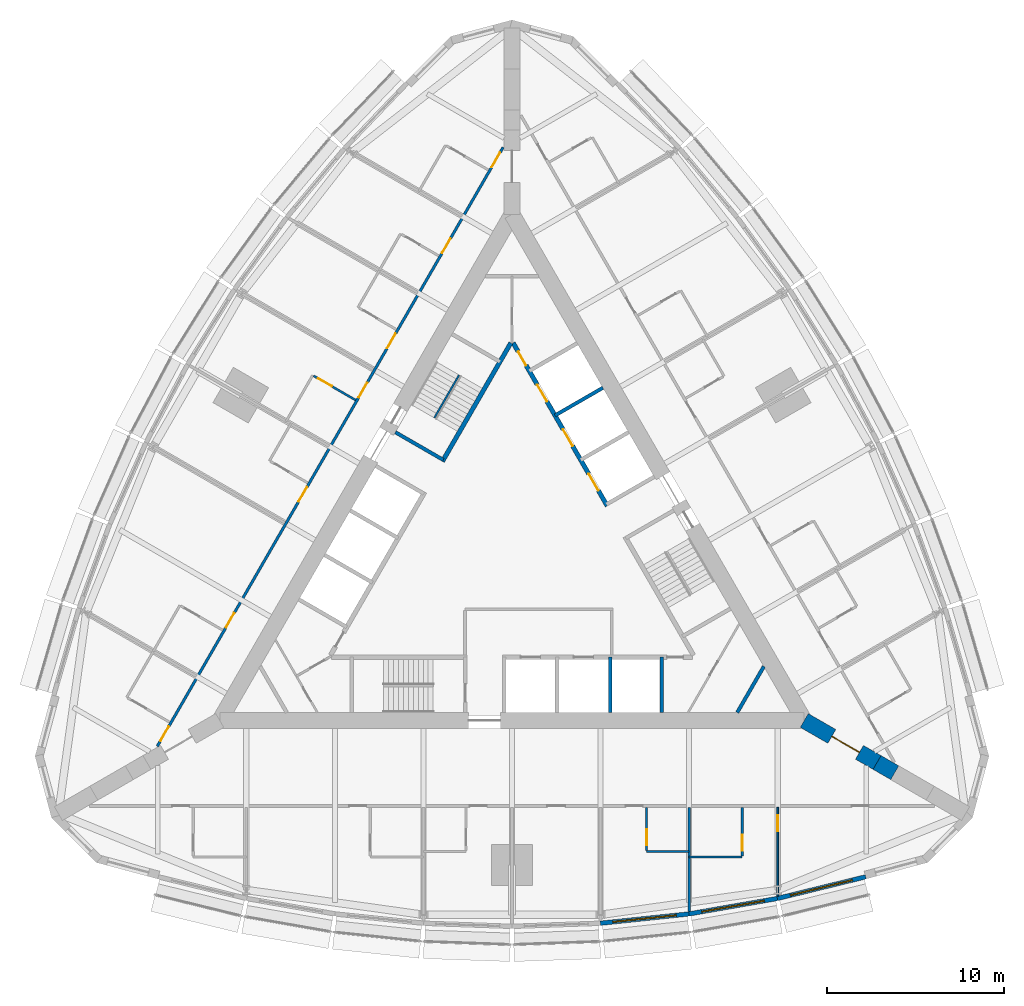
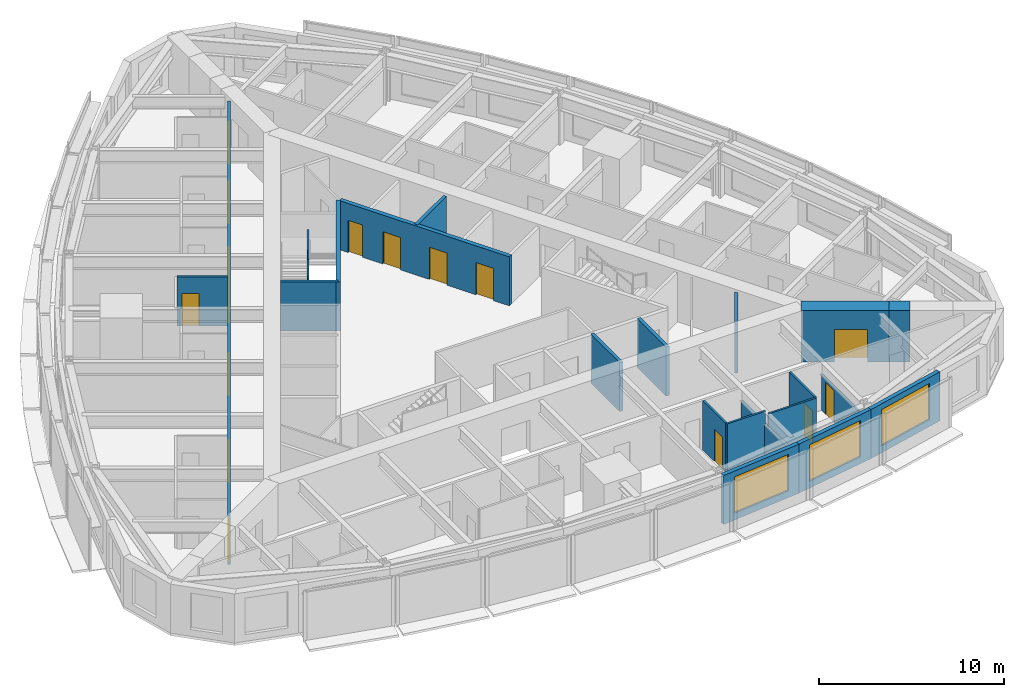
# One storey, part 10 of 14: 21 walls, 16 doors, 3 windows, 19 openings.
"""IFC4 building model written with IfcOpenShell, lengths in metres."""

from ifc_helpers import new_model, si_unit, direction, frame, frame_2d, origin, place, context, subcontext, project, spatial, rectangle, extrude, material, layer, layer_set, type_object, element, fill, save


model = new_model("IFC4")

# Units and contexts
model_context = context("Model", 3, precision=1e-05, world=origin(), true_north=direction((0.0, 1.0)))
body_context = subcontext(model_context, "Body", "Model", "MODEL_VIEW")
ifc_project = project(units=[si_unit("LENGTHUNIT", "METRE"), si_unit("AREAUNIT", "SQUARE_METRE"), si_unit("VOLUMEUNIT", "CUBIC_METRE"), si_unit("PLANEANGLEUNIT", "RADIAN"), si_unit("MASSUNIT", "GRAM", prefix="KILO")], contexts=[model_context])

# Site, building, storey
site_placement = place(None, origin())
site = spatial("IfcSite", under=ifc_project, at=site_placement, CompositionType="ELEMENT")
building_placement = place(site_placement, origin())
building = spatial("IfcBuilding", under=site, at=building_placement, Name="Trikona Tower", CompositionType="ELEMENT")
storey_placement = place(building_placement, frame((0.0, 0.0, 131.699951171875)))
storey = spatial("IfcBuildingStorey", under=building, at=storey_placement, Name="L34", CompositionType="ELEMENT", Elevation=131.699951171875)

# Wall
ifc_material_1 = material(Name="Metal stud and cement board", Category="gypsum")
ifc_layer_1 = layer(ifc_material_1, 0.1201171875)
ifc_layer_set_1 = layer_set([ifc_layer_1], Name="Bathroom wall 120")
wall_type_1 = type_object("IfcWallType", Name="Bathroom wall 120", PredefinedType="PLUMBINGWALL", material=ifc_layer_set_1)
wall_1_placement = place(storey_placement, frame((7.60009765625, -16.92626953125, 0.0), z_axis=(0.0, 0.0, 1.0), x_axis=(1.0, 0.0, 0.0)))
element("IfcWall", 1, at=wall_1_placement, inside=storey, type_object=wall_type_1, Name="Bathroom wall 3404", PredefinedType="PLUMBINGWALL", context=body_context, shape_type="SweptSolid", body=[
    extrude(rectangle(XDim=2.39990234375, YDim=0.1201171875, at=frame_2d((1.199951171875, 0.0))), origin(), (0.0, 0.0, 1.0), 3.235107421875),
])

# Wall, opening, door
wall_2_placement = place(storey_placement, frame((7.60009765625, -14.42626953125, 0.0), z_axis=(0.0, 0.0, 1.0), x_axis=(0.0, -1.0, 0.0)))
wall_2 = element("IfcWall", 2, at=wall_2_placement, inside=storey, type_object=wall_type_1, Name="Bathroom wall 3404", PredefinedType="PLUMBINGWALL", context=body_context, shape_type="SweptSolid", body=[
    extrude(rectangle(XDim=2.43994140625, YDim=0.1201171875, at=frame_2d((1.219970703125, 0.0))), origin(), (0.0, 0.0, 1.0), 3.235107421875),
])
opening_1_placement = place(wall_2_placement, frame((1.25, 0.0, 0.0)))
opening_1 = element("IfcOpeningElement", 3, at=opening_1_placement, cuts=wall_2, Name="Opening D2", PredefinedType="OPENING", context=body_context, shape_type="SweptSolid", body=[
    extrude(rectangle(XDim=0.89990234375, YDim=2.1298828125, at=frame_2d((0.449951171875, 1.06494140625))), frame((0.0, 0.070068359375, 0.0), z_axis=(0.0, -1.0, 0.0), x_axis=(1.0, 0.0, 0.0)), (0.0, 0.0, 1.0), 0.14013671875),
])
ifc_material_2 = material(Name="Steel door frame with solid-core timber leaf", Category="steel")
door_type_1 = type_object("IfcDoorType", Name="Bathroom door 900x2130", OperationType="SLIDING_TO_LEFT", PredefinedType="DOOR", material=ifc_material_2)
door_1_placement = place(opening_1_placement, origin())
door_1 = element("IfcDoor", 4, at=door_1_placement, inside=storey, type_object=door_type_1, Name="Bathroom door 3404", OperationType="SLIDING_TO_LEFT", OverallHeight=2.1298828125, OverallWidth=0.89990234375, PredefinedType="DOOR", context=body_context, shape_type="SweptSolid", body=[
    extrude(rectangle(XDim=0.89990234375, YDim=2.1298828125, at=frame_2d((0.449951171875, 1.06494140625))), frame((0.0, 0.02490234375, 0.0), z_axis=(0.0, -1.0, 0.0), x_axis=(1.0, 0.0, 0.0)), (0.0, 0.0, 1.0), 0.050048828125),
])
fill(opening_1, door_1)

# Wall
wall_3_placement = place(storey_placement, frame((10.0, -17.226318359375, 0.0), z_axis=(0.0, 0.0, 1.0), x_axis=(1.0, 0.0, 0.0)))
element("IfcWall", 5, at=wall_3_placement, inside=storey, type_object=wall_type_1, Name="Bathroom wall 3405.1", PredefinedType="PLUMBINGWALL", context=body_context, shape_type="SweptSolid", body=[
    extrude(rectangle(XDim=3.0, YDim=0.1201171875, at=frame_2d((1.5, 0.0))), origin(), (0.0, 0.0, 1.0), 3.235107421875),
])

# Wall, opening, door
wall_4_placement = place(storey_placement, frame((13.0, -14.42626953125, 0.0), z_axis=(0.0, 0.0, 1.0), x_axis=(0.0, -1.0, 0.0)))
wall_4 = element("IfcWall", 6, at=wall_4_placement, inside=storey, type_object=wall_type_1, Name="Bathroom wall 3405.1", PredefinedType="PLUMBINGWALL", context=body_context, shape_type="SweptSolid", body=[
    extrude(rectangle(XDim=2.739990234375, YDim=0.1201171875, at=frame_2d((1.3701171875, 0.0))), origin(), (0.0, 0.0, 1.0), 3.235107421875),
])
opening_2_placement = place(wall_4_placement, frame((1.550048828125, 0.0, 0.0)))
opening_2 = element("IfcOpeningElement", 7, at=opening_2_placement, cuts=wall_4, Name="Opening D2", PredefinedType="OPENING", context=body_context, shape_type="SweptSolid", body=[
    extrude(rectangle(XDim=0.89990234375, YDim=2.1298828125, at=frame_2d((0.449951171875, 1.06494140625))), frame((0.0, 0.070068359375, 0.0), z_axis=(0.0, -1.0, 0.0), x_axis=(1.0, 0.0, 0.0)), (0.0, 0.0, 1.0), 0.14013671875),
])
door_2_placement = place(opening_2_placement, origin())
door_2 = element("IfcDoor", 8, at=door_2_placement, inside=storey, type_object=door_type_1, Name="Bathroom door 3405.1", OperationType="SLIDING_TO_LEFT", OverallHeight=2.1298828125, OverallWidth=0.89990234375, PredefinedType="DOOR", context=body_context, shape_type="SweptSolid", body=[
    extrude(rectangle(XDim=0.89990234375, YDim=2.1298828125, at=frame_2d((0.449951171875, 1.06494140625))), frame((0.0, 0.02490234375, 0.0), z_axis=(0.0, -1.0, 0.0), x_axis=(1.0, 0.0, 0.0)), (0.0, 0.0, 1.0), 0.050048828125),
])
fill(opening_2, door_2)

wall_5_placement = place(storey_placement, frame((-8.82861328125, 8.561279296875, 0.0), z_axis=(0.0, 0.0, 1.0), x_axis=(-0.866035715982, 0.499982138324, 0.0)))
wall_5 = element("IfcWall", 9, at=wall_5_placement, inside=storey, type_object=wall_type_1, Name="Bathroom wall 3415", PredefinedType="PLUMBINGWALL", context=body_context, shape_type="SweptSolid", body=[
    extrude(rectangle(XDim=2.73974609375, YDim=0.1201171875, at=frame_2d((1.369873046875, 0.0))), origin(), (0.0, 0.0, 1.0), 3.235107421875),
])
opening_3_placement = place(wall_5_placement, frame((1.550048828125, 0.0, 0.0)))
opening_3 = element("IfcOpeningElement", 10, at=opening_3_placement, cuts=wall_5, Name="Opening D2", PredefinedType="OPENING", context=body_context, shape_type="SweptSolid", body=[
    extrude(rectangle(XDim=0.89990234375, YDim=2.1298828125, at=frame_2d((0.449951171875, 1.06494140625))), frame((0.0, 0.070068359375, 0.0), z_axis=(0.0, -1.0, 0.0), x_axis=(1.0, 0.0, 0.0)), (0.0, 0.0, 1.0), 0.14013671875),
])
door_3_placement = place(opening_3_placement, origin())
door_3 = element("IfcDoor", 11, at=door_3_placement, inside=storey, type_object=door_type_1, Name="Bathroom door 3415", OperationType="SLIDING_TO_LEFT", OverallHeight=2.1298828125, OverallWidth=0.89990234375, PredefinedType="DOOR", context=body_context, shape_type="SweptSolid", body=[
    extrude(rectangle(XDim=0.89990234375, YDim=2.1298828125, at=frame_2d((0.449951171875, 1.06494140625))), frame((0.0, 0.02490234375, 0.0), z_axis=(0.0, -1.0, 0.0), x_axis=(1.0, 0.0, 0.0)), (0.0, 0.0, 1.0), 0.050048828125),
])
fill(opening_3, door_3)

ifc_material_3 = material(Name="Concrete f'c 10000 psi", Category="concrete")
ifc_layer_2 = layer(ifc_material_3, 0.89990234375)
ifc_layer_set_2 = layer_set([ifc_layer_2], Name="Buttress wall 900")
wall_type_2 = type_object("IfcWallType", Name="Buttress wall 900", PredefinedType="SHEAR", material=ifc_layer_set_2)
wall_6_placement = place(storey_placement, frame((16.5, -9.5263671875, 0.0), z_axis=(0.0, 0.0, 1.0), x_axis=(0.866031398331, -0.499989616998, 0.0)))
wall_6 = element("IfcWall", 12, at=wall_6_placement, inside=storey, type_object=wall_type_2, Name="Buttress wall 1", PredefinedType="SHEAR", context=body_context, shape_type="SweptSolid", body=[
    extrude(rectangle(XDim=4.74609375, YDim=0.89990234375, at=frame_2d((2.373046875, 0.0))), origin(), (0.0, 0.0, 1.0), 3.400146484375),
])
opening_4_placement = place(wall_6_placement, frame((1.800048828125, 0.0, 0.0)))
opening_4 = element("IfcOpeningElement", 13, at=opening_4_placement, cuts=wall_6, Name="Opening D10", PredefinedType="OPENING", context=body_context, shape_type="SweptSolid", body=[
    extrude(rectangle(XDim=1.800048828125, YDim=2.1298828125, at=frame_2d((0.89990234375, 1.06494140625))), frame((0.0, 0.4599609375, 0.0), z_axis=(0.0, -1.0, 0.0), x_axis=(1.0, 0.0, 0.0)), (0.0, 0.0, 1.0), 0.919921875),
])
ifc_material_4 = material(Name="Hollow metal door and frame", Category="steel")
door_type_2 = type_object("IfcDoorType", Name="Cross-corridor door pair 1800x2130", OperationType="DOUBLE_DOOR_DOUBLE_SWING", PredefinedType="DOOR", material=ifc_material_4)
door_4_placement = place(opening_4_placement, origin())
door_4 = element("IfcDoor", 14, at=door_4_placement, inside=storey, type_object=door_type_2, Name="Cross-corridor door 1", OperationType="DOUBLE_DOOR_DOUBLE_SWING", OverallHeight=2.1298828125, OverallWidth=1.800048828125, PredefinedType="DOOR", context=body_context, shape_type="SweptSolid", body=[
    extrude(rectangle(XDim=1.800048828125, YDim=2.1298828125, at=frame_2d((0.89990234375, 1.06494140625))), frame((0.0, 0.02490234375, 0.0), z_axis=(0.0, -1.0, 0.0), x_axis=(1.0, 0.0, 0.0)), (0.0, 0.0, 1.0), 0.050048828125),
])
fill(opening_4, door_4)

# Wall
wall_7_placement = place(storey_placement, frame((20.6103515625, -11.8994140625, 0.0), z_axis=(0.0, 0.0, 1.0), x_axis=(0.866009537788, -0.500027479704, 0.0)))
element("IfcWall", 15, at=wall_7_placement, inside=storey, type_object=wall_type_2, Name="Buttress wall 1 part 2", PredefinedType="SHEAR", context=body_context, shape_type="SweptSolid", body=[
    extrude(rectangle(XDim=1.15478515625, YDim=0.89990234375, at=frame_2d((0.577392578125, 0.0))), origin(), (0.0, 0.0, 1.0), 3.400146484375),
])

# Wall, openings, doors
ifc_material_5 = material(Name="Metal stud and gypsum board, 1-hour", Category="gypsum")
ifc_layer_3 = layer(ifc_material_5, 0.14990234375)
ifc_layer_set_3 = layer_set([ifc_layer_3], Name="Corridor wall 150")
wall_type_3 = type_object("IfcWallType", Name="Corridor wall 150", PredefinedType="PARTITIONING", material=ifc_layer_set_3)
wall_8_placement = place(storey_placement, frame((-0.5, 22.83642578125, 0.0), z_axis=(0.0, 0.0, 1.0), x_axis=(-0.500001677587, -0.866024435227, 0.0)))
wall_8 = element("IfcWall", 16, at=wall_8_placement, inside=storey, type_object=wall_type_3, Name="Corridor wall L34-3", PredefinedType="PARTITIONING", context=body_context, shape_type="SweptSolid", body=[
    extrude(rectangle(XDim=39.053955078125, YDim=0.14990234375, at=frame_2d((19.52685546875, 0.0))), origin(), (0.0, 0.0, 1.0), 3.235107421875),
])
opening_5_placement = place(wall_8_placement, frame((0.35205078125, 0.0, 0.0)))
opening_5 = element("IfcOpeningElement", 17, at=opening_5_placement, cuts=wall_8, Name="Opening D1", PredefinedType="OPENING", context=body_context, shape_type="SweptSolid", body=[
    extrude(rectangle(XDim=0.949951171875, YDim=2.1298828125, at=frame_2d((0.47509765625, 1.06494140625))), frame((0.0, 0.0849609375, 0.0), z_axis=(0.0, -1.0, 0.0), x_axis=(1.0, 0.0, 0.0)), (0.0, 0.0, 1.0), 0.169921875),
])
opening_6_placement = place(wall_8_placement, frame((5.951904296875, 0.0, 0.0)))
opening_6 = element("IfcOpeningElement", 18, at=opening_6_placement, cuts=wall_8, Name="Opening D1", PredefinedType="OPENING", context=body_context, shape_type="SweptSolid", body=[
    extrude(rectangle(XDim=0.949951171875, YDim=2.1298828125, at=frame_2d((0.47509765625, 1.06494140625))), frame((0.0, 0.0849609375, 0.0), z_axis=(0.0, -1.0, 0.0), x_axis=(1.0, 0.0, 0.0)), (0.0, 0.0, 1.0), 0.169921875),
])
opening_7_placement = place(wall_8_placement, frame((12.152099609375, 0.0, 0.0)))
opening_7 = element("IfcOpeningElement", 19, at=opening_7_placement, cuts=wall_8, Name="Opening D1", PredefinedType="OPENING", context=body_context, shape_type="SweptSolid", body=[
    extrude(rectangle(XDim=0.949951171875, YDim=2.1298828125, at=frame_2d((0.47509765625, 1.06494140625))), frame((0.0, 0.0849609375, 0.0), z_axis=(0.0, -1.0, 0.0), x_axis=(1.0, 0.0, 0.0)), (0.0, 0.0, 1.0), 0.169921875),
])
opening_8_placement = place(wall_8_placement, frame((15.35205078125, 0.0, 0.0)))
opening_8 = element("IfcOpeningElement", 20, at=opening_8_placement, cuts=wall_8, Name="Opening D1", PredefinedType="OPENING", context=body_context, shape_type="SweptSolid", body=[
    extrude(rectangle(XDim=0.949951171875, YDim=2.1298828125, at=frame_2d((0.47509765625, 1.06494140625))), frame((0.0, 0.0849609375, 0.0), z_axis=(0.0, -1.0, 0.0), x_axis=(1.0, 0.0, 0.0)), (0.0, 0.0, 1.0), 0.169921875),
])
opening_9_placement = place(wall_8_placement, frame((22.152099609375, 0.0, 0.0)))
opening_9 = element("IfcOpeningElement", 21, at=opening_9_placement, cuts=wall_8, Name="Opening D1", PredefinedType="OPENING", context=body_context, shape_type="SweptSolid", body=[
    extrude(rectangle(XDim=0.949951171875, YDim=2.1298828125, at=frame_2d((0.47509765625, 1.06494140625))), frame((0.0, 0.0849609375, 0.0), z_axis=(0.0, -1.0, 0.0), x_axis=(1.0, 0.0, 0.0)), (0.0, 0.0, 1.0), 0.169921875),
])
opening_10_placement = place(wall_8_placement, frame((30.35205078125, 0.0, 0.0)))
opening_10 = element("IfcOpeningElement", 22, at=opening_10_placement, cuts=wall_8, Name="Opening D1", PredefinedType="OPENING", context=body_context, shape_type="SweptSolid", body=[
    extrude(rectangle(XDim=0.949951171875, YDim=2.1298828125, at=frame_2d((0.47509765625, 1.06494140625))), frame((0.0, 0.0849609375, 0.0), z_axis=(0.0, -1.0, 0.0), x_axis=(1.0, 0.0, 0.0)), (0.0, 0.0, 1.0), 0.169921875),
])
opening_11_placement = place(wall_8_placement, frame((37.751953125, 0.0, 0.0)))
opening_11 = element("IfcOpeningElement", 23, at=opening_11_placement, cuts=wall_8, Name="Opening D1", PredefinedType="OPENING", context=body_context, shape_type="SweptSolid", body=[
    extrude(rectangle(XDim=0.949951171875, YDim=2.1298828125, at=frame_2d((0.47509765625, 1.06494140625))), frame((0.0, 0.0849609375, 0.0), z_axis=(0.0, -1.0, 0.0), x_axis=(1.0, 0.0, 0.0)), (0.0, 0.0, 1.0), 0.169921875),
])
ifc_material_6 = material(Name="Steel door frame with solid-core timber leaf", Category="steel")
door_type_3 = type_object("IfcDoorType", Name="Guest room door 950x2130", OperationType="SINGLE_SWING_LEFT", PredefinedType="DOOR", material=ifc_material_6)
door_5_placement = place(opening_5_placement, origin())
door_5 = element("IfcDoor", 24, at=door_5_placement, inside=storey, type_object=door_type_3, Name="Room door 3412", OperationType="SINGLE_SWING_LEFT", OverallHeight=2.1298828125, OverallWidth=0.949951171875, PredefinedType="DOOR", context=body_context, shape_type="SweptSolid", body=[
    extrude(rectangle(XDim=0.949951171875, YDim=2.1298828125, at=frame_2d((0.47509765625, 1.06494140625))), frame((0.0, 0.02490234375, 0.0), z_axis=(0.0, -1.0, 0.0), x_axis=(1.0, 0.0, 0.0)), (0.0, 0.0, 1.0), 0.050048828125),
])
fill(opening_5, door_5)
door_6_placement = place(opening_6_placement, origin())
door_6 = element("IfcDoor", 25, at=door_6_placement, inside=storey, type_object=door_type_3, Name="Room door 3413", OperationType="SINGLE_SWING_RIGHT", OverallHeight=2.1298828125, OverallWidth=0.949951171875, PredefinedType="DOOR", context=body_context, shape_type="SweptSolid", body=[
    extrude(rectangle(XDim=0.949951171875, YDim=2.1298828125, at=frame_2d((0.47509765625, 1.06494140625))), frame((0.0, 0.02490234375, 0.0), z_axis=(0.0, -1.0, 0.0), x_axis=(1.0, 0.0, 0.0)), (0.0, 0.0, 1.0), 0.050048828125),
])
fill(opening_6, door_6)
door_7_placement = place(opening_7_placement, origin())
door_7 = element("IfcDoor", 26, at=door_7_placement, inside=storey, type_object=door_type_3, Name="Room door 3414", OperationType="SINGLE_SWING_LEFT", OverallHeight=2.1298828125, OverallWidth=0.949951171875, PredefinedType="DOOR", context=body_context, shape_type="SweptSolid", body=[
    extrude(rectangle(XDim=0.949951171875, YDim=2.1298828125, at=frame_2d((0.47509765625, 1.06494140625))), frame((0.0, 0.02490234375, 0.0), z_axis=(0.0, -1.0, 0.0), x_axis=(1.0, 0.0, 0.0)), (0.0, 0.0, 1.0), 0.050048828125),
])
fill(opening_7, door_7)
door_8_placement = place(opening_8_placement, origin())
door_8 = element("IfcDoor", 27, at=door_8_placement, inside=storey, type_object=door_type_3, Name="Room door 3415", OperationType="SINGLE_SWING_RIGHT", OverallHeight=2.1298828125, OverallWidth=0.949951171875, PredefinedType="DOOR", context=body_context, shape_type="SweptSolid", body=[
    extrude(rectangle(XDim=0.949951171875, YDim=2.1298828125, at=frame_2d((0.47509765625, 1.06494140625))), frame((0.0, 0.02490234375, 0.0), z_axis=(0.0, -1.0, 0.0), x_axis=(1.0, 0.0, 0.0)), (0.0, 0.0, 1.0), 0.050048828125),
])
fill(opening_8, door_8)
door_9_placement = place(opening_9_placement, origin())
door_9 = element("IfcDoor", 28, at=door_9_placement, inside=storey, type_object=door_type_3, Name="Room door 3416", OperationType="SINGLE_SWING_LEFT", OverallHeight=2.1298828125, OverallWidth=0.949951171875, PredefinedType="DOOR", context=body_context, shape_type="SweptSolid", body=[
    extrude(rectangle(XDim=0.949951171875, YDim=2.1298828125, at=frame_2d((0.47509765625, 1.06494140625))), frame((0.0, 0.02490234375, 0.0), z_axis=(0.0, -1.0, 0.0), x_axis=(1.0, 0.0, 0.0)), (0.0, 0.0, 1.0), 0.050048828125),
])
fill(opening_9, door_9)
door_10_placement = place(opening_10_placement, origin())
door_10 = element("IfcDoor", 29, at=door_10_placement, inside=storey, type_object=door_type_3, Name="Room door 3417", OperationType="SINGLE_SWING_RIGHT", OverallHeight=2.1298828125, OverallWidth=0.949951171875, PredefinedType="DOOR", context=body_context, shape_type="SweptSolid", body=[
    extrude(rectangle(XDim=0.949951171875, YDim=2.1298828125, at=frame_2d((0.47509765625, 1.06494140625))), frame((0.0, 0.02490234375, 0.0), z_axis=(0.0, -1.0, 0.0), x_axis=(1.0, 0.0, 0.0)), (0.0, 0.0, 1.0), 0.050048828125),
])
fill(opening_10, door_10)
door_11_placement = place(opening_11_placement, origin())
door_11 = element("IfcDoor", 30, at=door_11_placement, inside=storey, type_object=door_type_3, Name="Room door 3418", OperationType="SINGLE_SWING_RIGHT", OverallHeight=2.1298828125, OverallWidth=0.949951171875, PredefinedType="DOOR", context=body_context, shape_type="SweptSolid", body=[
    extrude(rectangle(XDim=0.949951171875, YDim=2.1298828125, at=frame_2d((0.47509765625, 1.06494140625))), frame((0.0, 0.02490234375, 0.0), z_axis=(0.0, -1.0, 0.0), x_axis=(1.0, 0.0, 0.0)), (0.0, 0.0, 1.0), 0.050048828125),
])
fill(opening_11, door_11)

ifc_material_7 = material(Name="Concrete f'c 8000 psi", Category="concrete")
ifc_layer_4 = layer(ifc_material_7, 0.25)
ifc_layer_set_4 = layer_set([ifc_layer_4], Name="Hub wall 250")
wall_type_4 = type_object("IfcWallType", Name="Hub wall 250", PredefinedType="SOLIDWALL", material=ifc_layer_set_4)
wall_9_placement = place(storey_placement, frame((5.37890625, 2.5859375, 0.0), z_axis=(0.0, 0.0, 1.0), x_axis=(-0.500001375892, 0.866024609411, 0.0)))
wall_9 = element("IfcWall", 31, at=wall_9_placement, inside=storey, type_object=wall_type_4, Name="Lift lobby wall B2", PredefinedType="SOLIDWALL", context=body_context, shape_type="SweptSolid", body=[
    extrude(rectangle(XDim=10.6328125, YDim=0.25, at=frame_2d((5.31640625, 0.0))), origin(), (0.0, 0.0, 1.0), 3.235107421875),
])
opening_12_placement = place(wall_9_placement, frame((9.1640625, 0.0, 0.0)))
opening_12 = element("IfcOpeningElement", 32, at=opening_12_placement, cuts=wall_9, Name="Opening D14", PredefinedType="OPENING", context=body_context, shape_type="SweptSolid", body=[
    extrude(rectangle(XDim=0.89990234375, YDim=2.1298828125, at=frame_2d((0.449951171875, 1.06494140625))), frame((0.0, 0.135009765625, 0.0), z_axis=(0.0, -1.0, 0.0), x_axis=(1.0, 0.0, 0.0)), (0.0, 0.0, 1.0), 0.27001953125),
])
opening_13_placement = place(wall_9_placement, frame((1.0, 0.0, 0.0)))
opening_13 = element("IfcOpeningElement", 33, at=opening_13_placement, cuts=wall_9, Name="Opening LD", PredefinedType="OPENING", context=body_context, shape_type="SweptSolid", body=[
    extrude(rectangle(XDim=1.10009765625, YDim=2.1298828125, at=frame_2d((0.550048828125, 1.06494140625))), frame((0.0, 0.135009765625, 0.0), z_axis=(0.0, -1.0, 0.0), x_axis=(1.0, 0.0, 0.0)), (0.0, 0.0, 1.0), 0.27001953125),
])
opening_14_placement = place(wall_9_placement, frame((3.89990234375, 0.0, 0.0)))
opening_14 = element("IfcOpeningElement", 34, at=opening_14_placement, cuts=wall_9, Name="Opening LD", PredefinedType="OPENING", context=body_context, shape_type="SweptSolid", body=[
    extrude(rectangle(XDim=1.10009765625, YDim=2.1298828125, at=frame_2d((0.550048828125, 1.06494140625))), frame((0.0, 0.135009765625, 0.0), z_axis=(0.0, -1.0, 0.0), x_axis=(1.0, 0.0, 0.0)), (0.0, 0.0, 1.0), 0.27001953125),
])
opening_15_placement = place(wall_9_placement, frame((6.800048828125, 0.0, 0.0)))
opening_15 = element("IfcOpeningElement", 35, at=opening_15_placement, cuts=wall_9, Name="Opening LD", PredefinedType="OPENING", context=body_context, shape_type="SweptSolid", body=[
    extrude(rectangle(XDim=1.10009765625, YDim=2.1298828125, at=frame_2d((0.550048828125, 1.06494140625))), frame((0.0, 0.135009765625, 0.0), z_axis=(0.0, -1.0, 0.0), x_axis=(1.0, 0.0, 0.0)), (0.0, 0.0, 1.0), 0.27001953125),
])
ifc_material_8 = material(Name="Stainless steel lift landing door", Category="steel")
door_type_4 = type_object("IfcDoorType", Name="Lift landing door 1100x2130", OperationType="DOUBLE_DOOR_SLIDING", PredefinedType="USERDEFINED", material=ifc_material_8)
door_12_placement = place(opening_13_placement, origin())
door_12 = element("IfcDoor", 36, at=door_12_placement, inside=storey, type_object=door_type_4, Name="Lift landing door L2-1", ObjectType="LIFT LANDING DOOR", OperationType="DOUBLE_DOOR_SLIDING", OverallHeight=2.1298828125, OverallWidth=1.10009765625, PredefinedType="USERDEFINED", context=body_context, shape_type="SweptSolid", body=[
    extrude(rectangle(XDim=1.10009765625, YDim=2.1298828125, at=frame_2d((0.550048828125, 1.06494140625))), frame((0.0, 0.02490234375, 0.0), z_axis=(0.0, -1.0, 0.0), x_axis=(1.0, 0.0, 0.0)), (0.0, 0.0, 1.0), 0.050048828125),
])
fill(opening_13, door_12)
door_13_placement = place(opening_14_placement, origin())
door_13 = element("IfcDoor", 37, at=door_13_placement, inside=storey, type_object=door_type_4, Name="Lift landing door L2-2", ObjectType="LIFT LANDING DOOR", OperationType="DOUBLE_DOOR_SLIDING", OverallHeight=2.1298828125, OverallWidth=1.10009765625, PredefinedType="USERDEFINED", context=body_context, shape_type="SweptSolid", body=[
    extrude(rectangle(XDim=1.10009765625, YDim=2.1298828125, at=frame_2d((0.550048828125, 1.06494140625))), frame((0.0, 0.02490234375, 0.0), z_axis=(0.0, -1.0, 0.0), x_axis=(1.0, 0.0, 0.0)), (0.0, 0.0, 1.0), 0.050048828125),
])
fill(opening_14, door_13)
door_14_placement = place(opening_15_placement, origin())
door_14 = element("IfcDoor", 38, at=door_14_placement, inside=storey, type_object=door_type_4, Name="Lift landing door L2-3", ObjectType="LIFT LANDING DOOR", OperationType="DOUBLE_DOOR_SLIDING", OverallHeight=2.1298828125, OverallWidth=1.10009765625, PredefinedType="USERDEFINED", context=body_context, shape_type="SweptSolid", body=[
    extrude(rectangle(XDim=1.10009765625, YDim=2.1298828125, at=frame_2d((0.550048828125, 1.06494140625))), frame((0.0, 0.02490234375, 0.0), z_axis=(0.0, -1.0, 0.0), x_axis=(1.0, 0.0, 0.0)), (0.0, 0.0, 1.0), 0.050048828125),
])
fill(opening_15, door_14)
ifc_material_9 = material(Name="Hollow metal door and frame", Category="steel")
door_type_5 = type_object("IfcDoorType", Name="Service room door 900x2130", OperationType="SINGLE_SWING_LEFT", PredefinedType="DOOR", material=ifc_material_9)
door_15_placement = place(opening_12_placement, origin())
door_15 = element("IfcDoor", 39, at=door_15_placement, inside=storey, type_object=door_type_5, Name="Door Ice and vending ICE", OperationType="SINGLE_SWING_RIGHT", OverallHeight=2.1298828125, OverallWidth=0.89990234375, PredefinedType="DOOR", context=body_context, shape_type="SweptSolid", body=[
    extrude(rectangle(XDim=0.89990234375, YDim=2.1298828125, at=frame_2d((0.449951171875, 1.06494140625))), frame((0.0, 0.02490234375, 0.0), z_axis=(0.0, -1.0, 0.0), x_axis=(1.0, 0.0, 0.0)), (0.0, 0.0, 1.0), 0.050048828125),
])
fill(opening_12, door_15)

# Wall
wall_10_placement = place(storey_placement, frame((-0.0625, 11.794189453125, 0.0), z_axis=(0.0, 0.0, 1.0), x_axis=(-0.500006680225, -0.86602154692, 0.0)))
element("IfcWall", 40, at=wall_10_placement, inside=storey, type_object=wall_type_4, Name="Lift lobby wall C1", PredefinedType="SOLIDWALL", context=body_context, shape_type="SweptSolid", body=[
    extrude(rectangle(XDim=7.73291015625, YDim=0.25, at=frame_2d((3.866455078125, 0.0))), origin(), (0.0, 0.0, 1.0), 3.235107421875),
])

# Wall, opening, window
ifc_material_10 = material(Name="Insulated precast concrete spandrel panel", Category="concrete")
ifc_layer_5 = layer(ifc_material_10, 0.25)
ifc_layer_set_5 = layer_set([ifc_layer_5], Name="Inner skin wall 250")
wall_type_5 = type_object("IfcWallType", Name="Inner skin wall 250", PredefinedType="STANDARD", material=ifc_layer_set_5)
wall_11_placement = place(storey_placement, frame((4.98681640625, -20.975830078125, 0.0), z_axis=(0.0, 0.0, 1.0), x_axis=(0.994534683851, 0.104406717299, 0.0)))
wall_11 = element("IfcWall", 41, at=wall_11_placement, inside=storey, type_object=wall_type_5, Name="External wall L34-05", PredefinedType="STANDARD", context=body_context, shape_type="SweptSolid", body=[
    extrude(rectangle(XDim=5.027587890625, YDim=0.25, at=frame_2d((2.513671875, 0.0))), origin(), (0.0, 0.0, 1.0), 3.235107421875),
])
opening_16_placement = place(wall_11_placement, frame((0.713623046875, 0.0, 0.449951171875)))
opening_16 = element("IfcOpeningElement", 42, at=opening_16_placement, cuts=wall_11, Name="Opening W3624", PredefinedType="OPENING", context=body_context, shape_type="SweptSolid", body=[
    extrude(rectangle(XDim=3.60009765625, YDim=2.39990234375, at=frame_2d((1.800048828125, 1.199951171875))), frame((0.0, 0.135009765625, 0.0), z_axis=(0.0, -1.0, 0.0), x_axis=(1.0, 0.0, 0.0)), (0.0, 0.0, 1.0), 0.27001953125),
])
ifc_material_11 = material(Name="Aluminium-framed double glazing", Category="aluminium")
window_type = type_object("IfcWindowType", Name="Window 3600x2400", PartitioningType="SINGLE_PANEL", PredefinedType="WINDOW", material=ifc_material_11)
window_1_placement = place(opening_16_placement, origin())
window_1 = element("IfcWindow", 43, at=window_1_placement, inside=storey, type_object=window_type, Name="Window 3404", OverallHeight=2.39990234375, OverallWidth=3.60009765625, PartitioningType="SINGLE_PANEL", PredefinedType="WINDOW", context=body_context, shape_type="SweptSolid", body=[
    extrude(rectangle(XDim=3.60009765625, YDim=2.39990234375, at=frame_2d((1.800048828125, 1.199951171875))), frame((0.0, 0.030029296875, 0.0), z_axis=(0.0, -1.0, 0.0), x_axis=(1.0, 0.0, 0.0)), (0.0, 0.0, 1.0), 0.06005859375),
])
fill(opening_16, window_1)

wall_12_placement = place(storey_placement, frame((9.978515625, -20.4521484375, 0.0), z_axis=(0.0, 0.0, 1.0), x_axis=(0.985030467156, 0.172380331752, 0.0)))
wall_12 = element("IfcWall", 44, at=wall_12_placement, inside=storey, type_object=wall_type_5, Name="External wall L34-06", PredefinedType="STANDARD", context=body_context, shape_type="SweptSolid", body=[
    extrude(rectangle(XDim=5.075927734375, YDim=0.25, at=frame_2d((2.5380859375, 0.0))), origin(), (0.0, 0.0, 1.0), 3.235107421875),
])
opening_17_placement = place(wall_12_placement, frame((0.738037109375, 0.0, 0.449951171875)))
opening_17 = element("IfcOpeningElement", 45, at=opening_17_placement, cuts=wall_12, Name="Opening W3624", PredefinedType="OPENING", context=body_context, shape_type="SweptSolid", body=[
    extrude(rectangle(XDim=3.60009765625, YDim=2.39990234375, at=frame_2d((1.800048828125, 1.199951171875))), frame((0.0, 0.135009765625, 0.0), z_axis=(0.0, -1.0, 0.0), x_axis=(1.0, 0.0, 0.0)), (0.0, 0.0, 1.0), 0.27001953125),
])
window_2_placement = place(opening_17_placement, origin())
window_2 = element("IfcWindow", 46, at=window_2_placement, inside=storey, type_object=window_type, Name="Window 3405.1", OverallHeight=2.39990234375, OverallWidth=3.60009765625, PartitioningType="SINGLE_PANEL", PredefinedType="WINDOW", context=body_context, shape_type="SweptSolid", body=[
    extrude(rectangle(XDim=3.60009765625, YDim=2.39990234375, at=frame_2d((1.800048828125, 1.199951171875))), frame((0.0, 0.030029296875, 0.0), z_axis=(0.0, -1.0, 0.0), x_axis=(1.0, 0.0, 0.0)), (0.0, 0.0, 1.0), 0.06005859375),
])
fill(opening_17, window_2)

wall_13_placement = place(storey_placement, frame((14.97021484375, -19.578857421875, 0.0), z_axis=(0.0, 0.0, 1.0), x_axis=(0.971270024053, 0.237980126011, 0.0)))
wall_13 = element("IfcWall", 47, at=wall_13_placement, inside=storey, type_object=wall_type_5, Name="External wall L34-07", PredefinedType="STANDARD", context=body_context, shape_type="SweptSolid", body=[
    extrude(rectangle(XDim=5.14794921875, YDim=0.25, at=frame_2d((2.573974609375, 0.0))), origin(), (0.0, 0.0, 1.0), 3.235107421875),
])
opening_18_placement = place(wall_13_placement, frame((0.77392578125, 0.0, 0.449951171875)))
opening_18 = element("IfcOpeningElement", 48, at=opening_18_placement, cuts=wall_13, Name="Opening W3624", PredefinedType="OPENING", context=body_context, shape_type="SweptSolid", body=[
    extrude(rectangle(XDim=3.60009765625, YDim=2.39990234375, at=frame_2d((1.800048828125, 1.199951171875))), frame((0.0, 0.135009765625, 0.0), z_axis=(0.0, -1.0, 0.0), x_axis=(1.0, 0.0, 0.0)), (0.0, 0.0, 1.0), 0.27001953125),
])
window_3_placement = place(opening_18_placement, origin())
window_3 = element("IfcWindow", 49, at=window_3_placement, inside=storey, type_object=window_type, Name="Window 3405", OverallHeight=2.39990234375, OverallWidth=3.60009765625, PartitioningType="SINGLE_PANEL", PredefinedType="WINDOW", context=body_context, shape_type="SweptSolid", body=[
    extrude(rectangle(XDim=3.60009765625, YDim=2.39990234375, at=frame_2d((1.800048828125, 1.199951171875))), frame((0.0, 0.030029296875, 0.0), z_axis=(0.0, -1.0, 0.0), x_axis=(1.0, 0.0, 0.0)), (0.0, 0.0, 1.0), 0.06005859375),
])
fill(opening_18, window_3)

# Walls
ifc_material_12 = material(Name="Metal stud and gypsum board, 1-hour acoustic", Category="gypsum")
ifc_layer_6 = layer(ifc_material_12, 0.14990234375)
ifc_layer_set_6 = layer_set([ifc_layer_6], Name="Party wall 150")
wall_type_6 = type_object("IfcWallType", Name="Party wall 150", PredefinedType="PARTITIONING", material=ifc_layer_set_6)
wall_14_placement = place(storey_placement, frame((10.0, -14.42626953125, 0.0), z_axis=(0.0, 0.0, 1.0), x_axis=(0.0, -1.0, 0.0)))
element("IfcWall", 50, at=wall_14_placement, inside=storey, type_object=wall_type_6, Name="Partition L34 F1 u10", PredefinedType="PARTITIONING", context=body_context, shape_type="SweptSolid", body=[
    extrude(rectangle(XDim=5.89501953125, YDim=0.14990234375, at=frame_2d((2.947509765625, 0.0))), origin(), (0.0, 0.0, 1.0), 2.38916015625),
])
ifc_material_13 = material(Name="Concrete f'c 8000 psi", Category="concrete")
ifc_layer_7 = layer(ifc_material_13, 0.199951171875)
ifc_layer_set_7 = layer_set([ifc_layer_7], Name="Shaft wall 200")
wall_type_7 = type_object("IfcWallType", Name="Shaft wall 200", PredefinedType="SOLIDWALL", material=ifc_layer_set_7)
for number, where, z_axis, x_axis, name in (
    (51, (5.550048828125, -5.951416015625, 0.0), (0.0, 0.0, 1.0), (0.0, -1.0, 0.0), "Shaft wall A5"),
    (52, (8.449951171875, -5.951416015625, 0.0), (0.0, 0.0, 1.0), (0.0, -1.0, 0.0), "Shaft wall A6"),
    (53, (2.428955078125, 7.695556640625, 0.0), (0.0, 0.0, 1.0), (0.866022959057, 0.500004234368, 0.0), "Shaft wall B5"),
):
    element("IfcWall", number, at=place(storey_placement, frame(where, z_axis=z_axis, x_axis=x_axis)), inside=storey, type_object=wall_type_7, Name=name, PredefinedType="SOLIDWALL", context=body_context, shape_type="SweptSolid", body=[
        extrude(rectangle(XDim=3.125, YDim=0.199951171875, at=frame_2d((1.5625, 0.0))), origin(), (0.0, 0.0, 1.0), 3.235107421875),
    ])
wall_15_placement = place(storey_placement, frame((14.219482421875, -6.476318359375, 0.0), z_axis=(0.0, 0.0, 1.0), x_axis=(-0.499952404951, -0.866052881055, 0.0)))
element("IfcWall", 54, at=wall_15_placement, inside=storey, type_object=wall_type_7, Name="Riser wall L34-RS1", PredefinedType="SOLIDWALL", context=body_context, shape_type="SweptSolid", body=[
    extrude(rectangle(XDim=3.002197265625, YDim=0.199951171875, at=frame_2d((1.5009765625, 0.0))), origin(), (0.0, 0.0, 1.0), 3.235107421875),
])
ifc_material_14 = material(Name="Concrete f'c 8000 psi", Category="concrete")
ifc_layer_8 = layer(ifc_material_14, 0.199951171875)
ifc_layer_set_8 = layer_set([ifc_layer_8], Name="Shaft wall 200 load-bearing")
wall_type_8 = type_object("IfcWallType", Name="Shaft wall 200 load-bearing", PredefinedType="SOLIDWALL", material=ifc_layer_set_8)
wall_16_placement = place(storey_placement, frame((-3.87890625, 5.18408203125, 0.0), z_axis=(0.0, 0.0, 1.0), x_axis=(-0.866022959057, 0.500004234368, 0.0)))
element("IfcWall", 55, at=wall_16_placement, inside=storey, type_object=wall_type_8, Name="Shaft wall C2", PredefinedType="SOLIDWALL", context=body_context, shape_type="SweptSolid", body=[
    extrude(rectangle(XDim=3.125, YDim=0.199951171875, at=frame_2d((1.5625, 0.0))), origin(), (0.0, 0.0, 1.0), 3.235107421875),
])
ifc_material_15 = material(Name="Concrete f'c 5000 psi", Category="concrete")
ifc_layer_9 = layer(ifc_material_15, 0.10009765625)
ifc_layer_set_9 = layer_set([ifc_layer_9], Name="Stair spine wall 100")
wall_type_9 = type_object("IfcWallType", Name="Stair spine wall 100", PredefinedType="SOLIDWALL", material=ifc_layer_set_9)
wall_17_placement = place(storey_placement, frame((-2.98779296875, 9.9775390625, 0.0), z_axis=(0.0, 0.0, 1.0), x_axis=(-0.499992232847, -0.866029888106, 0.0)))
element("IfcWall", 56, at=wall_17_placement, inside=storey, type_object=wall_type_9, Name="Stair C spine wall L34", PredefinedType="SOLIDWALL", context=body_context, shape_type="SweptSolid", body=[
    extrude(rectangle(XDim=2.7939453125, YDim=0.10009765625, at=frame_2d((1.39697265625, 0.0))), origin(), (0.0, 0.0, 1.0), 3.400146484375),
])

# Wall, opening, door
ifc_material_16 = material(Name="Metal stud and gypsum board, acoustic", Category="gypsum")
ifc_layer_10 = layer(ifc_material_16, 0.10009765625)
ifc_layer_set_10 = layer_set([ifc_layer_10], Name="Suite partition 100")
wall_type_10 = type_object("IfcWallType", Name="Suite partition 100", PredefinedType="PARTITIONING", material=ifc_layer_set_10)
wall_18_placement = place(storey_placement, frame((15.0, -14.42626953125, 0.0), z_axis=(0.0, 0.0, 1.0), x_axis=(0.0, -1.0, 0.0)))
wall_18 = element("IfcWall", 57, at=wall_18_placement, inside=storey, type_object=wall_type_10, Name="Suite partition L34 F1 u15", PredefinedType="PARTITIONING", context=body_context, shape_type="SweptSolid", body=[
    extrude(rectangle(XDim=5.0166015625, YDim=0.10009765625, at=frame_2d((2.50830078125, 0.0))), origin(), (0.0, 0.0, 1.0), 2.38916015625),
])
opening_19_placement = place(wall_18_placement, frame((0.449951171875, 0.0, 0.0)))
opening_19 = element("IfcOpeningElement", 58, at=opening_19_placement, cuts=wall_18, Name="Opening D13", PredefinedType="OPENING", context=body_context, shape_type="SweptSolid", body=[
    extrude(rectangle(XDim=0.89990234375, YDim=2.1298828125, at=frame_2d((0.449951171875, 1.06494140625))), frame((0.0, 0.06005859375, 0.0), z_axis=(0.0, -1.0, 0.0), x_axis=(1.0, 0.0, 0.0)), (0.0, 0.0, 1.0), 0.1201171875),
])
ifc_material_17 = material(Name="Steel door frame with solid-core timber leaf", Category="steel")
door_type_6 = type_object("IfcDoorType", Name="Suite door 900x2130", OperationType="SINGLE_SWING_LEFT", PredefinedType="DOOR", material=ifc_material_17)
door_16_placement = place(opening_19_placement, origin())
door_16 = element("IfcDoor", 59, at=door_16_placement, inside=storey, type_object=door_type_6, Name="Suite door 3405", OperationType="SINGLE_SWING_LEFT", OverallHeight=2.1298828125, OverallWidth=0.89990234375, PredefinedType="DOOR", context=body_context, shape_type="SweptSolid", body=[
    extrude(rectangle(XDim=0.89990234375, YDim=2.1298828125, at=frame_2d((0.449951171875, 1.06494140625))), frame((0.0, 0.02490234375, 0.0), z_axis=(0.0, -1.0, 0.0), x_axis=(1.0, 0.0, 0.0)), (0.0, 0.0, 1.0), 0.050048828125),
])
fill(opening_19, door_16)

save(model, "model.ifc")
